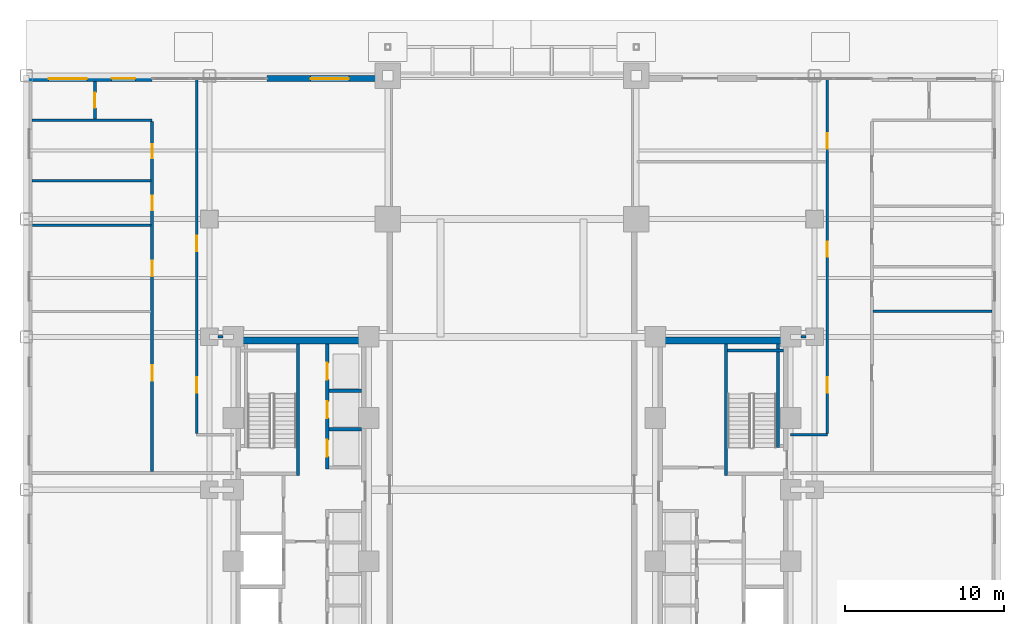
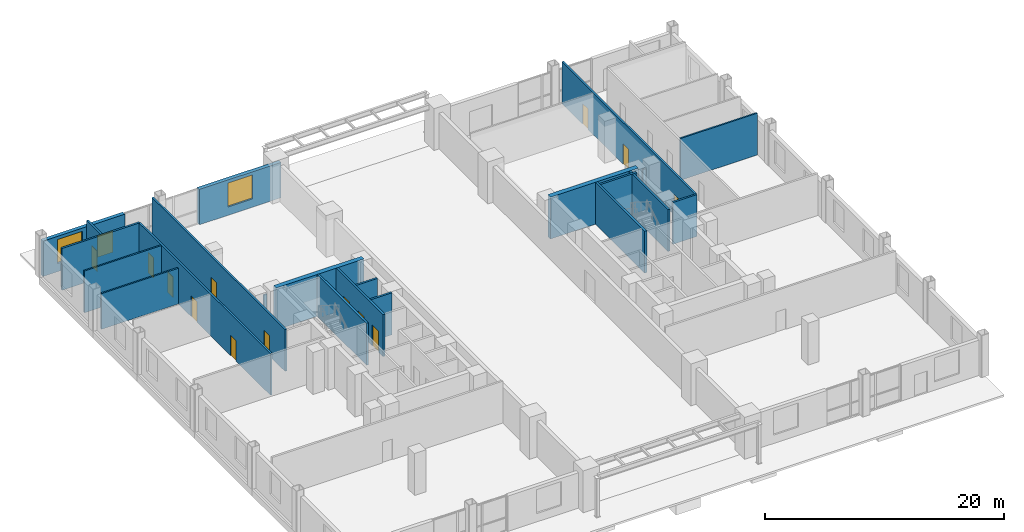
# One storey, part 11 of 20: 22 walls, 14 doors, 2 windows, 16 openings.
"""IFC4 building model written with IfcOpenShell, lengths in metres."""

from ifc_helpers import new_model, si_unit, direction, frame, frame_2d, origin, place, context, subcontext, project, spatial, rectangle, extrude, source, transform, mapped, material, layer, layer_set, type_object, type_shapes, element, fill, save


model = new_model("IFC4")

# Units and contexts
model_context = context("Model", 3, precision=1e-05, world=origin(), true_north=direction((0.0, 1.0)))
body_context = subcontext(model_context, "Body", "Model", "MODEL_VIEW")
ifc_project = project(units=[si_unit("LENGTHUNIT", "METRE"), si_unit("AREAUNIT", "SQUARE_METRE"), si_unit("VOLUMEUNIT", "CUBIC_METRE"), si_unit("PLANEANGLEUNIT", "RADIAN"), si_unit("MASSUNIT", "GRAM", prefix="KILO")], contexts=[model_context])

# Site, building, storey
site_placement = place(None, origin())
site = spatial("IfcSite", under=ifc_project, at=site_placement, CompositionType="ELEMENT")
building_placement = place(site_placement, origin())
building = spatial("IfcBuilding", under=site, at=building_placement, Name="Nuvemarco Arch Tower", CompositionType="ELEMENT")
storey_placement = place(building_placement, origin())
storey = spatial("IfcBuildingStorey", under=building, at=storey_placement, Name="L00", CompositionType="ELEMENT", Elevation=0.0)

# Wall, openings, window, door
ifc_material_1 = material(Name="Precast concrete C45/55", Category="concrete")
ifc_layer_1 = layer(ifc_material_1, 0.360107421875, Name="EW-POD-360")
ifc_layer_set_1 = layer_set([ifc_layer_1], Name="Precast concrete C45/55")
wall_type_1 = type_object("IfcWallType", Name="EW-POD-360", PredefinedType="STANDARD", material=ifc_layer_set_1)
wall_1_placement = place(storey_placement, frame((-30.5, 25.820068359375, 0.0), z_axis=(0.0, 0.0, 1.0), x_axis=(1.0, 0.0, 0.0)))
wall_1 = element("IfcWall", 1, at=wall_1_placement, inside=storey, type_object=wall_type_1, Name="L00 exterior precast pier wall north left", PredefinedType="STANDARD", context=body_context, shape_type="SweptSolid", body=[
    extrude(rectangle(XDim=7.89990234375, YDim=0.360107421875, at=frame_2d((3.949951171875, 0.0))), origin(), (0.0, 0.0, 1.0), 3.614990234375),
])
opening_1_placement = place(wall_1_placement, frame((5.35009765625, 0.0, 0.0)))
opening_1 = element("IfcOpeningElement", 2, at=opening_1_placement, cuts=wall_1, Name="Opening ED-2", PredefinedType="OPENING", context=body_context, shape_type="SweptSolid", body=[
    extrude(rectangle(XDim=1.5, YDim=2.199951171875, at=frame_2d((0.75, 1.10009765625))), frame((0.0, 0.18994140625, 0.0), z_axis=(0.0, -1.0, 0.0), x_axis=(1.0, 0.0, 0.0)), (0.0, 0.0, 1.0), 0.380126953125),
])
opening_2_placement = place(wall_1_placement, frame((1.39990234375, 0.0, 0.85009765625)))
opening_2 = element("IfcOpeningElement", 3, at=opening_2_placement, cuts=wall_1, Name="Opening WN-1", PredefinedType="OPENING", context=body_context, shape_type="SweptSolid", body=[
    extrude(rectangle(XDim=2.39990234375, YDim=2.449951171875, at=frame_2d((1.199951171875, 1.22509765625))), frame((0.0, 0.18994140625, 0.0), z_axis=(0.0, -1.0, 0.0), x_axis=(1.0, 0.0, 0.0)), (0.0, 0.0, 1.0), 0.380126953125),
])
ifc_material_2 = material(Name="Insulated solar-control glass", Category="glass")
window_type = type_object("IfcWindowType", Name="WN-POD-2400x2450", PartitioningType="DOUBLE_PANEL_VERTICAL", PredefinedType="WINDOW", material=ifc_material_2)
shared_shape_1 = source(origin(), body_context, "Body", "SweptSolid", [
    extrude(rectangle(XDim=2.39990234375, YDim=2.449951171875, at=frame_2d((1.199951171875, 1.22509765625))), frame((0.0, 0.030029296875, 0.0), z_axis=(0.0, -1.0, 0.0), x_axis=(1.0, 0.0, 0.0)), (0.0, 0.0, 1.0), 0.06005859375),
])
type_shapes(window_type, [shared_shape_1])
window_1_placement = place(opening_2_placement, origin())
window_1 = element("IfcWindow", 4, at=window_1_placement, inside=storey, type_object=window_type, Name="L00 punched facade window 1", OverallHeight=2.449951171875, OverallWidth=2.39990234375, PartitioningType="SINGLE_PANEL", PredefinedType="WINDOW", context=body_context, shape_type="MappedRepresentation", body=[
    mapped(shared_shape_1, transform((0.0, 0.0, 0.0), scale=1.0)),
])
fill(opening_2, window_1)
ifc_material_3 = material(Name="Anodised bronze and laminated glass", Category="glass")
door_type_1 = type_object("IfcDoorType", Name="DR-EXT-EXIT", OperationType="NOTDEFINED", PredefinedType="DOOR", material=ifc_material_3)
shared_shape_2 = source(origin(), body_context, "Body", "SweptSolid", [
    extrude(rectangle(XDim=1.5, YDim=2.199951171875, at=frame_2d((0.75, 1.10009765625))), frame((0.0, 0.02490234375, 0.0), z_axis=(0.0, -1.0, 0.0), x_axis=(1.0, 0.0, 0.0)), (0.0, 0.0, 1.0), 0.050048828125),
])
type_shapes(door_type_1, [shared_shape_2])
door_1_placement = place(opening_1_placement, origin())
door_1 = element("IfcDoor", 5, at=door_1_placement, inside=storey, type_object=door_type_1, Name="Final exit discharge door ED-W1 to north plaza", OperationType="SINGLE_SWING_LEFT", OverallHeight=2.199951171875, OverallWidth=1.5, PredefinedType="DOOR", context=body_context, shape_type="MappedRepresentation", body=[
    mapped(shared_shape_2, transform((0.0, 0.0, 0.0), scale=1.0)),
])
fill(opening_1, door_1)

# Wall, opening, window
wall_2_placement = place(storey_placement, frame((-15.39990234375, 25.820068359375, 0.0), z_axis=(0.0, 0.0, 1.0), x_axis=(1.0, 0.0, 0.0)))
wall_2 = element("IfcWall", 6, at=wall_2_placement, inside=storey, type_object=wall_type_1, Name="L00 exterior precast pier wall north right", PredefinedType="STANDARD", context=body_context, shape_type="SweptSolid", body=[
    extrude(rectangle(XDim=7.89990234375, YDim=0.360107421875, at=frame_2d((3.949951171875, 0.0))), origin(), (0.0, 0.0, 1.0), 3.614990234375),
])
opening_3_placement = place(wall_2_placement, frame((2.75, 0.0, 0.85009765625)))
opening_3 = element("IfcOpeningElement", 7, at=opening_3_placement, cuts=wall_2, Name="Opening WN-1", PredefinedType="OPENING", context=body_context, shape_type="SweptSolid", body=[
    extrude(rectangle(XDim=2.39990234375, YDim=2.449951171875, at=frame_2d((1.199951171875, 1.22509765625))), frame((0.0, 0.18994140625, 0.0), z_axis=(0.0, -1.0, 0.0), x_axis=(1.0, 0.0, 0.0)), (0.0, 0.0, 1.0), 0.380126953125),
])
window_2_placement = place(opening_3_placement, origin())
window_2 = element("IfcWindow", 8, at=window_2_placement, inside=storey, type_object=window_type, Name="L00 punched facade window 1", OverallHeight=2.449951171875, OverallWidth=2.39990234375, PartitioningType="SINGLE_PANEL", PredefinedType="WINDOW", context=body_context, shape_type="MappedRepresentation", body=[
    mapped(shared_shape_1, transform((0.0, 0.0, 0.0), scale=1.0)),
])
fill(opening_3, window_2)

# Walls
ifc_material_4 = material(Name="Concrete C60/75", Category="concrete")
ifc_layer_2 = layer(ifc_material_4, 0.449951171875, Name="WL-CORE-450")
ifc_layer_set_2 = layer_set([ifc_layer_2], Name="Concrete C60/75")
wall_type_2 = type_object("IfcWallType", Name="WL-CORE-450", PredefinedType="SHEAR", material=ifc_layer_set_2)
for number, where, z_axis, x_axis, name in (
    (9, (-17.5, 9.375, 0.0), (0.0, 0.0, 1.0), (1.0, 0.0, 0.0), "L00 W-core shear wall N"),
    (10, (9.0, 9.375, 0.0), (0.0, 0.0, 1.0), (1.0, 0.0, 0.0), "L00 E-core shear wall N"),
):
    element("IfcWall", number, at=place(storey_placement, frame(where, z_axis=z_axis, x_axis=x_axis)), inside=storey, type_object=wall_type_2, Name=name, PredefinedType="SHEAR", context=body_context, shape_type="SweptSolid", body=[
        extrude(rectangle(XDim=8.5, YDim=0.449951171875, at=frame_2d((4.25, 0.0))), origin(), (0.0, 0.0, 1.0), 4.280029296875),
    ])
ifc_material_5 = material(Name="Fire-rated gypsum drywall partition")
ifc_layer_3 = layer(ifc_material_5, 0.179931640625, Name="WL-CORR-180")
ifc_layer_set_3 = layer_set([ifc_layer_3], Name="Fire-rated gypsum drywall partition")
wall_type_3 = type_object("IfcWallType", Name="WL-CORR-180", PredefinedType="PARTITIONING", material=ifc_layer_set_3)
wall_3_placement = place(storey_placement, frame((17.5, 3.449951171875, 0.0), z_axis=(0.0, 0.0, 1.0), x_axis=(1.0, 0.0, 0.0)))
element("IfcWall", 11, at=wall_3_placement, inside=storey, type_object=wall_type_3, Name="L00 interior wall IW-L00-006", PredefinedType="PARTITIONING", context=body_context, shape_type="SweptSolid", body=[
    extrude(rectangle(XDim=2.300048828125, YDim=0.179931640625, at=frame_2d((1.14990234375, 0.0))), origin(), (0.0, 0.0, 1.0), 4.27001953125),
])
wall_4_placement = place(storey_placement, frame((-30.139892578125, 23.199951171875, 0.0), z_axis=(0.0, 0.0, 1.0), x_axis=(1.0, 0.0, 0.0)))
element("IfcWall", 12, at=wall_4_placement, inside=storey, type_object=wall_type_3, Name="L00 interior wall IW-L00-016", PredefinedType="PARTITIONING", context=body_context, shape_type="SweptSolid", body=[
    extrude(rectangle(XDim=7.539794921875, YDim=0.179931640625, at=frame_2d((3.77001953125, 0.0))), origin(), (0.0, 0.0, 1.0), 4.27001953125),
])

# Wall, opening, door
wall_5_placement = place(storey_placement, frame((-26.199951171875, 23.285888671875, 0.0), z_axis=(0.0, 0.0, 1.0), x_axis=(0.0, 1.0, 0.0)))
wall_5 = element("IfcWall", 13, at=wall_5_placement, inside=storey, type_object=wall_type_3, Name="L00 interior wall IW-L00-018", PredefinedType="PARTITIONING", context=body_context, shape_type="SweptSolid", body=[
    extrude(rectangle(XDim=2.35400390625, YDim=0.179931640625, at=frame_2d((1.177001953125, 0.0))), origin(), (0.0, 0.0, 1.0), 4.27001953125),
])
opening_4_placement = place(wall_5_placement, frame((0.697021484375, 0.0, 0.0)))
opening_4 = element("IfcOpeningElement", 14, at=opening_4_placement, cuts=wall_5, Name="Opening FD-5", PredefinedType="OPENING", context=body_context, shape_type="SweptSolid", body=[
    extrude(rectangle(XDim=0.9599609375, YDim=2.10009765625, at=frame_2d((0.47998046875, 1.050048828125))), frame((0.0, 0.099853515625, 0.0), z_axis=(0.0, -1.0, 0.0), x_axis=(1.0, 0.0, 0.0)), (0.0, 0.0, 1.0), 0.199951171875),
])
ifc_material_6 = material(Name="Timber fire door", Category="wood")
door_type_2 = type_object("IfcDoorType", Name="DR-CORR-FD", OperationType="NOTDEFINED", PredefinedType="DOOR", material=ifc_material_6)
shared_shape_3 = source(origin(), body_context, "Body", "SweptSolid", [
    extrude(rectangle(XDim=0.9599609375, YDim=2.10009765625, at=frame_2d((0.47998046875, 1.050048828125))), frame((0.0, 0.02490234375, 0.0), z_axis=(0.0, -1.0, 0.0), x_axis=(1.0, 0.0, 0.0)), (0.0, 0.0, 1.0), 0.050048828125),
])
type_shapes(door_type_2, [shared_shape_3])
door_2_placement = place(opening_4_placement, origin())
door_2 = element("IfcDoor", 15, at=door_2_placement, inside=storey, type_object=door_type_2, Name="L00 door DR-L00-L00_WMAIL", OperationType="SINGLE_SWING_RIGHT", OverallHeight=2.10009765625, OverallWidth=0.9599609375, PredefinedType="DOOR", context=body_context, shape_type="MappedRepresentation", body=[
    mapped(shared_shape_3, transform((0.0, 0.0, 0.0), scale=1.0)),
])
fill(opening_4, door_2)

# Wall, openings, doors
wall_6_placement = place(storey_placement, frame((-22.60009765625, 1.135986328125, 0.0), z_axis=(0.0, 0.0, 1.0), x_axis=(0.0, 1.0, 0.0)))
wall_6 = element("IfcWall", 16, at=wall_6_placement, inside=storey, type_object=wall_type_3, Name="L00 interior wall IW-L00-019", PredefinedType="PARTITIONING", context=body_context, shape_type="SweptSolid", body=[
    extrude(rectangle(XDim=21.97802734375, YDim=0.179931640625, at=frame_2d((10.989013671875, 0.0))), origin(), (0.0, 0.0, 1.0), 4.27001953125),
])
opening_5_placement = place(wall_6_placement, frame((5.708984375, 0.0, 0.0)))
opening_5 = element("IfcOpeningElement", 17, at=opening_5_placement, cuts=wall_6, Name="Opening FD-5", PredefinedType="OPENING", context=body_context, shape_type="SweptSolid", body=[
    extrude(rectangle(XDim=0.9599609375, YDim=2.10009765625, at=frame_2d((0.47998046875, 1.050048828125))), frame((0.0, 0.099853515625, 0.0), z_axis=(0.0, -1.0, 0.0), x_axis=(1.0, 0.0, 0.0)), (0.0, 0.0, 1.0), 0.199951171875),
])
opening_6_placement = place(wall_6_placement, frame((12.283935546875, 0.0, 0.0)))
opening_6 = element("IfcOpeningElement", 18, at=opening_6_placement, cuts=wall_6, Name="Opening FD-5", PredefinedType="OPENING", context=body_context, shape_type="SweptSolid", body=[
    extrude(rectangle(XDim=0.9599609375, YDim=2.10009765625, at=frame_2d((0.47998046875, 1.050048828125))), frame((0.0, 0.099853515625, 0.0), z_axis=(0.0, -1.0, 0.0), x_axis=(1.0, 0.0, 0.0)), (0.0, 0.0, 1.0), 0.199951171875),
])
opening_7_placement = place(wall_6_placement, frame((19.6708984375, 0.0, 0.0)))
opening_7 = element("IfcOpeningElement", 19, at=opening_7_placement, cuts=wall_6, Name="Opening ID-3", PredefinedType="OPENING", context=body_context, shape_type="SweptSolid", body=[
    extrude(rectangle(XDim=0.89990234375, YDim=2.10009765625, at=frame_2d((0.449951171875, 1.050048828125))), frame((0.0, 0.099853515625, 0.0), z_axis=(0.0, -1.0, 0.0), x_axis=(1.0, 0.0, 0.0)), (0.0, 0.0, 1.0), 0.199951171875),
])
opening_8_placement = place(wall_6_placement, frame((16.4140625, 0.0, 0.0)))
opening_8 = element("IfcOpeningElement", 20, at=opening_8_placement, cuts=wall_6, Name="Opening ID-3", PredefinedType="OPENING", context=body_context, shape_type="SweptSolid", body=[
    extrude(rectangle(XDim=0.89990234375, YDim=2.10009765625, at=frame_2d((0.449951171875, 1.050048828125))), frame((0.0, 0.099853515625, 0.0), z_axis=(0.0, -1.0, 0.0), x_axis=(1.0, 0.0, 0.0)), (0.0, 0.0, 1.0), 0.199951171875),
])
door_3_placement = place(opening_5_placement, origin())
door_3 = element("IfcDoor", 21, at=door_3_placement, inside=storey, type_object=door_type_2, Name="L00 door DR-L00-L00_WCONC", OperationType="SINGLE_SWING_LEFT", OverallHeight=2.10009765625, OverallWidth=0.9599609375, PredefinedType="DOOR", context=body_context, shape_type="MappedRepresentation", body=[
    mapped(shared_shape_3, transform((0.0, 0.0, 0.0), scale=1.0)),
])
fill(opening_5, door_3)
door_4_placement = place(opening_6_placement, origin())
door_4 = element("IfcDoor", 22, at=door_4_placement, inside=storey, type_object=door_type_2, Name="L00 door DR-L00-L00_SCI", OperationType="SINGLE_SWING_LEFT", OverallHeight=2.10009765625, OverallWidth=0.9599609375, PredefinedType="DOOR", context=body_context, shape_type="MappedRepresentation", body=[
    mapped(shared_shape_3, transform((0.0, 0.0, 0.0), scale=1.0)),
])
fill(opening_6, door_4)
ifc_material_7 = material(Name="Veneered oak timber fire door", Category="wood")
door_type_3 = type_object("IfcDoorType", Name="DR-WC-ACC", OperationType="NOTDEFINED", PredefinedType="DOOR", material=ifc_material_7)
shared_shape_4 = source(origin(), body_context, "Body", "SweptSolid", [
    extrude(rectangle(XDim=0.89990234375, YDim=2.10009765625, at=frame_2d((0.449951171875, 1.050048828125))), frame((0.0, 0.02490234375, 0.0), z_axis=(0.0, -1.0, 0.0), x_axis=(1.0, 0.0, 0.0)), (0.0, 0.0, 1.0), 0.050048828125),
])
type_shapes(door_type_3, [shared_shape_4])
door_5_placement = place(opening_7_placement, origin())
door_5 = element("IfcDoor", 23, at=door_5_placement, inside=storey, type_object=door_type_3, Name="L00 door DR-L00-L00_WWC_PUB", OperationType="SINGLE_SWING_RIGHT", OverallHeight=2.10009765625, OverallWidth=0.89990234375, PredefinedType="DOOR", context=body_context, shape_type="MappedRepresentation", body=[
    mapped(shared_shape_4, transform((0.0, 0.0, 0.0), scale=1.0)),
])
fill(opening_7, door_5)
door_6_placement = place(opening_8_placement, origin())
door_6 = element("IfcDoor", 24, at=door_6_placement, inside=storey, type_object=door_type_3, Name="L00 door DR-L00-L00_WWC_ACC", OperationType="SINGLE_SWING_LEFT", OverallHeight=2.10009765625, OverallWidth=0.89990234375, PredefinedType="DOOR", context=body_context, shape_type="MappedRepresentation", body=[
    mapped(shared_shape_4, transform((0.0, 0.0, 0.0), scale=1.0)),
])
fill(opening_8, door_6)

wall_7_placement = place(storey_placement, frame((-19.800048828125, 3.535888671875, 0.0), z_axis=(0.0, 0.0, 1.0), x_axis=(0.0, 1.0, 0.0)))
wall_7 = element("IfcWall", 25, at=wall_7_placement, inside=storey, type_object=wall_type_3, Name="L00 interior wall IW-L00-020", PredefinedType="PARTITIONING", context=body_context, shape_type="SweptSolid", body=[
    extrude(rectangle(XDim=22.26904296875, YDim=0.179931640625, at=frame_2d((11.134521484375, 0.0))), origin(), (0.0, 0.0, 1.0), 4.27001953125),
])
opening_9_placement = place(wall_7_placement, frame((11.444091796875, 0.0, 0.0)))
opening_9 = element("IfcOpeningElement", 26, at=opening_9_placement, cuts=wall_7, Name="Opening FD-5", PredefinedType="OPENING", context=body_context, shape_type="SweptSolid", body=[
    extrude(rectangle(XDim=0.9599609375, YDim=2.10009765625, at=frame_2d((0.47998046875, 1.050048828125))), frame((0.0, 0.099853515625, 0.0), z_axis=(0.0, -1.0, 0.0), x_axis=(1.0, 0.0, 0.0)), (0.0, 0.0, 1.0), 0.199951171875),
])
opening_10_placement = place(wall_7_placement, frame((2.552001953125, 0.0, 0.0)))
opening_10 = element("IfcOpeningElement", 27, at=opening_10_placement, cuts=wall_7, Name="Opening FD-5", PredefinedType="OPENING", context=body_context, shape_type="SweptSolid", body=[
    extrude(rectangle(XDim=0.9599609375, YDim=2.10009765625, at=frame_2d((0.47998046875, 1.050048828125))), frame((0.0, 0.099853515625, 0.0), z_axis=(0.0, -1.0, 0.0), x_axis=(1.0, 0.0, 0.0)), (0.0, 0.0, 1.0), 0.199951171875),
])
door_7_placement = place(opening_9_placement, origin())
door_7 = element("IfcDoor", 28, at=door_7_placement, inside=storey, type_object=door_type_2, Name="L00 door DR-L00-L00_WEXH", OperationType="SINGLE_SWING_RIGHT", OverallHeight=2.10009765625, OverallWidth=0.9599609375, PredefinedType="DOOR", context=body_context, shape_type="MappedRepresentation", body=[
    mapped(shared_shape_3, transform((0.0, 0.0, 0.0), scale=1.0)),
])
fill(opening_9, door_7)
door_8_placement = place(opening_10_placement, origin())
door_8 = element("IfcDoor", 29, at=door_8_placement, inside=storey, type_object=door_type_2, Name="L00 door DR-L00-L00_WADM", OperationType="SINGLE_SWING_RIGHT", OverallHeight=2.10009765625, OverallWidth=0.9599609375, PredefinedType="DOOR", context=body_context, shape_type="MappedRepresentation", body=[
    mapped(shared_shape_3, transform((0.0, 0.0, 0.0), scale=1.0)),
])
fill(opening_10, door_8)

wall_8_placement = place(storey_placement, frame((19.800048828125, 3.535888671875, 0.0), z_axis=(0.0, 0.0, 1.0), x_axis=(0.0, 1.0, 0.0)))
wall_8 = element("IfcWall", 30, at=wall_8_placement, inside=storey, type_object=wall_type_3, Name="L00 interior wall IW-L00-021", PredefinedType="PARTITIONING", context=body_context, shape_type="SweptSolid", body=[
    extrude(rectangle(XDim=22.26904296875, YDim=0.179931640625, at=frame_2d((11.134521484375, 0.0))), origin(), (0.0, 0.0, 1.0), 4.27001953125),
])
opening_11_placement = place(wall_8_placement, frame((11.083984375, 0.0, 0.0)))
opening_11 = element("IfcOpeningElement", 31, at=opening_11_placement, cuts=wall_8, Name="Opening FD-5", PredefinedType="OPENING", context=body_context, shape_type="SweptSolid", body=[
    extrude(rectangle(XDim=0.9599609375, YDim=2.10009765625, at=frame_2d((0.47998046875, 1.050048828125))), frame((0.0, 0.099853515625, 0.0), z_axis=(0.0, -1.0, 0.0), x_axis=(1.0, 0.0, 0.0)), (0.0, 0.0, 1.0), 0.199951171875),
])
opening_12_placement = place(wall_8_placement, frame((2.552001953125, 0.0, 0.0)))
opening_12 = element("IfcOpeningElement", 32, at=opening_12_placement, cuts=wall_8, Name="Opening FD-5", PredefinedType="OPENING", context=body_context, shape_type="SweptSolid", body=[
    extrude(rectangle(XDim=0.9599609375, YDim=2.10009765625, at=frame_2d((0.47998046875, 1.050048828125))), frame((0.0, 0.099853515625, 0.0), z_axis=(0.0, -1.0, 0.0), x_axis=(1.0, 0.0, 0.0)), (0.0, 0.0, 1.0), 0.199951171875),
])
opening_13_placement = place(wall_8_placement, frame((17.884033203125, 0.0, 0.0)))
opening_13 = element("IfcOpeningElement", 33, at=opening_13_placement, cuts=wall_8, Name="Opening FD-5", PredefinedType="OPENING", context=body_context, shape_type="SweptSolid", body=[
    extrude(rectangle(XDim=0.9599609375, YDim=2.10009765625, at=frame_2d((0.47998046875, 1.050048828125))), frame((0.0, 0.099853515625, 0.0), z_axis=(0.0, -1.0, 0.0), x_axis=(1.0, 0.0, 0.0)), (0.0, 0.0, 1.0), 0.199951171875),
])
door_9_placement = place(opening_11_placement, origin())
door_9 = element("IfcDoor", 34, at=door_9_placement, inside=storey, type_object=door_type_2, Name="L00 door DR-L00-L00_EEXH", OperationType="SINGLE_SWING_LEFT", OverallHeight=2.10009765625, OverallWidth=0.9599609375, PredefinedType="DOOR", context=body_context, shape_type="MappedRepresentation", body=[
    mapped(shared_shape_3, transform((0.0, 0.0, 0.0), scale=1.0)),
])
fill(opening_11, door_9)
door_10_placement = place(opening_12_placement, origin())
door_10 = element("IfcDoor", 35, at=door_10_placement, inside=storey, type_object=door_type_2, Name="L00 door DR-L00-L00_EADM", OperationType="SINGLE_SWING_LEFT", OverallHeight=2.10009765625, OverallWidth=0.9599609375, PredefinedType="DOOR", context=body_context, shape_type="MappedRepresentation", body=[
    mapped(shared_shape_3, transform((0.0, 0.0, 0.0), scale=1.0)),
])
fill(opening_12, door_10)
door_11_placement = place(opening_13_placement, origin())
door_11 = element("IfcDoor", 36, at=door_11_placement, inside=storey, type_object=door_type_2, Name="L00 door DR-L00-L00_EGOODS", OperationType="SINGLE_SWING_LEFT", OverallHeight=2.10009765625, OverallWidth=0.9599609375, PredefinedType="DOOR", context=body_context, shape_type="MappedRepresentation", body=[
    mapped(shared_shape_3, transform((0.0, 0.0, 0.0), scale=1.0)),
])
fill(opening_13, door_11)

# Walls
ifc_material_8 = material(Name="Gypsum plasterboard partition")
ifc_layer_4 = layer(ifc_material_8, 0.139892578125, Name="WL-ROOM-140")
ifc_layer_set_4 = layer_set([ifc_layer_4], Name="Gypsum plasterboard partition")
wall_type_4 = type_object("IfcWallType", Name="WL-ROOM-140", PredefinedType="PARTITIONING", material=ifc_layer_set_4)
for number, where, z_axis, x_axis, name in (
    (37, (-18.4541015625, 9.60009765625, 0.0), (0.0, 0.0, 1.0), (1.0, 0.0, 0.0), "L00 interior wall IW-L00-007"),
    (38, (18.14599609375, 9.60009765625, 0.0), (0.0, 0.0, 1.0), (1.0, 0.0, 0.0), "L00 interior wall IW-L00-008"),
):
    element("IfcWall", number, at=place(storey_placement, frame(where, z_axis=z_axis, x_axis=x_axis)), inside=storey, type_object=wall_type_4, Name=name, PredefinedType="PARTITIONING", context=body_context, shape_type="SweptSolid", body=[
        extrude(rectangle(XDim=0.30810546875, YDim=0.139892578125, at=frame_2d((0.154052734375, 0.0))), origin(), (0.0, 0.0, 1.0), 3.64892578125),
    ])
ifc_material_9 = material(Name="Concrete C50/60", Category="concrete")
ifc_layer_5 = layer(ifc_material_9, 0.199951171875, Name="WL-SHAFT-220")
ifc_layer_set_5 = layer_set([ifc_layer_5], Name="Concrete C50/60")
wall_type_5 = type_object("IfcWallType", Name="WL-SHAFT-220", PredefinedType="SHEAR", material=ifc_layer_set_5)
wall_9_placement = place(storey_placement, frame((-13.43994140625, 0.89990234375, 0.0), z_axis=(0.0, 0.0, 1.0), x_axis=(0.0, 1.0, 0.0)))
element("IfcWall", 39, at=wall_9_placement, inside=storey, type_object=wall_type_5, Name="L00 structural shaft wall SW-L00-W-ST1E", PredefinedType="SHEAR", context=body_context, shape_type="SweptSolid", body=[
    extrude(rectangle(XDim=8.255126953125, YDim=0.199951171875, at=frame_2d((4.12744140625, 0.0))), origin(), (0.0, 0.0, 1.0), 4.280029296875),
])

# Wall, openings, doors
wall_10_placement = place(storey_placement, frame((-11.60009765625, 1.300048828125, 0.0), z_axis=(0.0, 0.0, 1.0), x_axis=(0.0, 1.0, 0.0)))
wall_10 = element("IfcWall", 40, at=wall_10_placement, inside=storey, type_object=wall_type_5, Name="L00 structural shaft wall SW-L00-W-PHW", PredefinedType="SHEAR", context=body_context, shape_type="SweptSolid", body=[
    extrude(rectangle(XDim=7.85498046875, YDim=0.199951171875, at=frame_2d((3.927490234375, 0.0))), origin(), (0.0, 0.0, 1.0), 4.280029296875),
])
opening_14_placement = place(wall_10_placement, frame((0.77490234375, 0.0, 0.0)))
opening_14 = element("IfcOpeningElement", 41, at=opening_14_placement, cuts=wall_10, Name="Opening LD-1", PredefinedType="OPENING", context=body_context, shape_type="SweptSolid", body=[
    extrude(rectangle(XDim=1.050048828125, YDim=2.14990234375, at=frame_2d((0.52490234375, 1.074951171875))), frame((0.0, 0.10986328125, 0.0), z_axis=(0.0, -1.0, 0.0), x_axis=(1.0, 0.0, 0.0)), (0.0, 0.0, 1.0), 0.219970703125),
])
opening_15_placement = place(wall_10_placement, frame((3.195068359375, 0.0, 0.0)))
opening_15 = element("IfcOpeningElement", 42, at=opening_15_placement, cuts=wall_10, Name="Opening LD-1", PredefinedType="OPENING", context=body_context, shape_type="SweptSolid", body=[
    extrude(rectangle(XDim=1.050048828125, YDim=2.14990234375, at=frame_2d((0.52490234375, 1.074951171875))), frame((0.0, 0.10986328125, 0.0), z_axis=(0.0, -1.0, 0.0), x_axis=(1.0, 0.0, 0.0)), (0.0, 0.0, 1.0), 0.219970703125),
])
opening_16_placement = place(wall_10_placement, frame((5.614990234375, 0.0, 0.0)))
opening_16 = element("IfcOpeningElement", 43, at=opening_16_placement, cuts=wall_10, Name="Opening LD-1", PredefinedType="OPENING", context=body_context, shape_type="SweptSolid", body=[
    extrude(rectangle(XDim=1.050048828125, YDim=2.14990234375, at=frame_2d((0.52490234375, 1.074951171875))), frame((0.0, 0.10986328125, 0.0), z_axis=(0.0, -1.0, 0.0), x_axis=(1.0, 0.0, 0.0)), (0.0, 0.0, 1.0), 0.219970703125),
])
ifc_material_10 = material(Name="Stainless steel lift door", Category="steel")
door_type_4 = type_object("IfcDoorType", Name="DR-LIFT-PASS", OperationType="DOUBLE_DOOR_SLIDING", PredefinedType="DOOR", material=ifc_material_10)
shared_shape_5 = source(origin(), body_context, "Body", "SweptSolid", [
    extrude(rectangle(XDim=1.050048828125, YDim=2.14990234375, at=frame_2d((0.52490234375, 1.074951171875))), frame((0.0, 0.02490234375, 0.0), z_axis=(0.0, -1.0, 0.0), x_axis=(1.0, 0.0, 0.0)), (0.0, 0.0, 1.0), 0.050048828125),
])
type_shapes(door_type_4, [shared_shape_5])
door_12_placement = place(opening_14_placement, origin())
door_12 = element("IfcDoor", 44, at=door_12_placement, inside=storey, type_object=door_type_4, Name="L00 Lift landing sliding door PH-1", OperationType="DOUBLE_DOOR_SLIDING", OverallHeight=2.14990234375, OverallWidth=1.050048828125, PredefinedType="DOOR", context=body_context, shape_type="MappedRepresentation", body=[
    mapped(shared_shape_5, transform((0.0, 0.0, 0.0), scale=1.0)),
])
fill(opening_14, door_12)
door_13_placement = place(opening_15_placement, origin())
door_13 = element("IfcDoor", 45, at=door_13_placement, inside=storey, type_object=door_type_4, Name="L00 Lift landing sliding door PH-2", OperationType="DOUBLE_DOOR_SLIDING", OverallHeight=2.14990234375, OverallWidth=1.050048828125, PredefinedType="DOOR", context=body_context, shape_type="MappedRepresentation", body=[
    mapped(shared_shape_5, transform((0.0, 0.0, 0.0), scale=1.0)),
])
fill(opening_15, door_13)
door_14_placement = place(opening_16_placement, origin())
door_14 = element("IfcDoor", 46, at=door_14_placement, inside=storey, type_object=door_type_4, Name="L00 Lift landing sliding door PH-3", OperationType="DOUBLE_DOOR_SLIDING", OverallHeight=2.14990234375, OverallWidth=1.050048828125, PredefinedType="DOOR", context=body_context, shape_type="MappedRepresentation", body=[
    mapped(shared_shape_5, transform((0.0, 0.0, 0.0), scale=1.0)),
])
fill(opening_16, door_14)

# Walls
for number, where, z_axis, x_axis, name in (
    (47, (-11.5048828125, 3.800048828125, 0.0), (0.0, 0.0, 1.0), (1.0, 0.0, 0.0), "L00 structural shaft wall SW-L00-W-PHD2"),
    (48, (-11.5048828125, 6.219970703125, 0.0), (0.0, 0.0, 1.0), (1.0, 0.0, 0.0), "L00 structural shaft wall SW-L00-W-PHD3"),
):
    element("IfcWall", number, at=place(storey_placement, frame(where, z_axis=z_axis, x_axis=x_axis)), inside=storey, type_object=wall_type_5, Name=name, PredefinedType="SHEAR", context=body_context, shape_type="SweptSolid", body=[
        extrude(rectangle(XDim=2.059814453125, YDim=0.199951171875, at=frame_2d((1.02978515625, 0.0))), origin(), (0.0, 0.0, 1.0), 4.280029296875),
    ])
wall_11_placement = place(storey_placement, frame((13.43994140625, 0.89990234375, 0.0), z_axis=(0.0, 0.0, 1.0), x_axis=(0.0, 1.0, 0.0)))
element("IfcWall", 49, at=wall_11_placement, inside=storey, type_object=wall_type_5, Name="L00 structural shaft wall SW-L00-E-ST2W", PredefinedType="SHEAR", context=body_context, shape_type="SweptSolid", body=[
    extrude(rectangle(XDim=8.255126953125, YDim=0.199951171875, at=frame_2d((4.12744140625, 0.0))), origin(), (0.0, 0.0, 1.0), 4.280029296875),
])
wall_12_placement = place(storey_placement, frame((13.534912109375, 8.75, 0.0), z_axis=(0.0, 0.0, 1.0), x_axis=(1.0, 0.0, 0.0)))
element("IfcWall", 50, at=wall_12_placement, inside=storey, type_object=wall_type_5, Name="L00 structural shaft wall SW-L00-E-ST2N", PredefinedType="SHEAR", context=body_context, shape_type="SweptSolid", body=[
    extrude(rectangle(XDim=3.52001953125, YDim=0.199951171875, at=frame_2d((1.760009765625, 0.0))), origin(), (0.0, 0.0, 1.0), 4.280029296875),
])
wall_13_placement = place(storey_placement, frame((16.699951171875, 2.64990234375, 0.0), z_axis=(0.0, 0.0, 1.0), x_axis=(0.0, 1.0, 0.0)))
element("IfcWall", 51, at=wall_13_placement, inside=storey, type_object=wall_type_5, Name="L00 structural shaft wall SW-L00-E-ST2E", PredefinedType="SHEAR", context=body_context, shape_type="SweptSolid", body=[
    extrude(rectangle(XDim=6.505126953125, YDim=0.199951171875, at=frame_2d((3.25244140625, 0.0))), origin(), (0.0, 0.0, 1.0), 4.280029296875),
])
ifc_material_11 = material(Name="Moisture-resistant gypsum partition")
ifc_layer_6 = layer(ifc_material_11, 0.14990234375, Name="WL-WET-150")
ifc_layer_set_6 = layer_set([ifc_layer_6], Name="Moisture-resistant gypsum partition")
wall_type_6 = type_object("IfcWallType", Name="WL-WET-150", PredefinedType="PARTITIONING", material=ifc_layer_set_6)
wall_14_placement = place(storey_placement, frame((22.68603515625, 11.199951171875, 0.0), z_axis=(0.0, 0.0, 1.0), x_axis=(1.0, 0.0, 0.0)))
element("IfcWall", 52, at=wall_14_placement, inside=storey, type_object=wall_type_6, Name="L00 interior wall IW-L00-010", PredefinedType="PARTITIONING", context=body_context, shape_type="SweptSolid", body=[
    extrude(rectangle(XDim=7.453857421875, YDim=0.14990234375, at=frame_2d((3.72705078125, 0.0))), origin(), (0.0, 0.0, 1.0), 4.27001953125),
])
wall_15_placement = place(storey_placement, frame((-30.10400390625, 16.60009765625, 0.0), z_axis=(0.0, 0.0, 1.0), x_axis=(1.0, 0.0, 0.0)))
element("IfcWall", 53, at=wall_15_placement, inside=storey, type_object=wall_type_6, Name="L00 interior wall IW-L00-012", PredefinedType="PARTITIONING", context=body_context, shape_type="SweptSolid", body=[
    extrude(rectangle(XDim=7.41796875, YDim=0.14990234375, at=frame_2d((3.708984375, 0.0))), origin(), (0.0, 0.0, 1.0), 3.64892578125),
])
wall_16_placement = place(storey_placement, frame((-30.139892578125, 19.39990234375, 0.0), z_axis=(0.0, 0.0, 1.0), x_axis=(1.0, 0.0, 0.0)))
element("IfcWall", 54, at=wall_16_placement, inside=storey, type_object=wall_type_6, Name="L00 interior wall IW-L00-014", PredefinedType="PARTITIONING", context=body_context, shape_type="SweptSolid", body=[
    extrude(rectangle(XDim=7.453857421875, YDim=0.14990234375, at=frame_2d((3.72705078125, 0.0))), origin(), (0.0, 0.0, 1.0), 4.27001953125),
])

save(model, "model.ifc")
